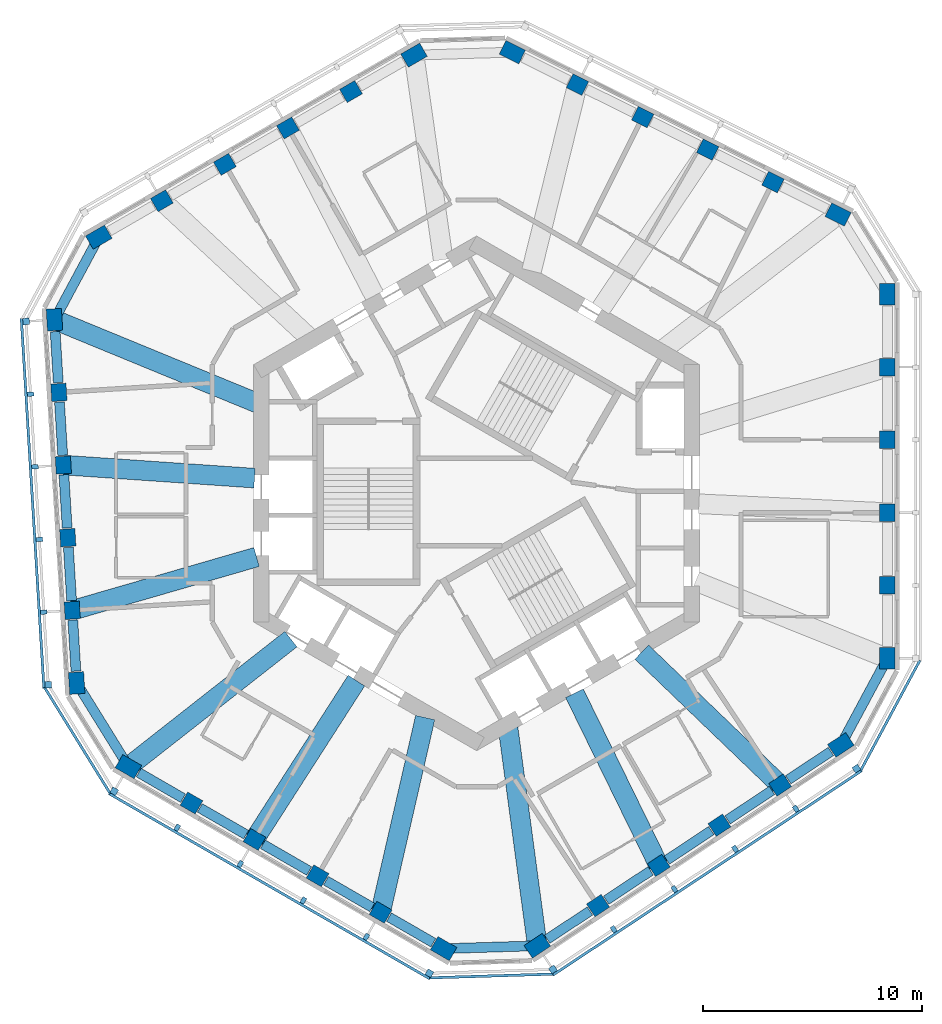
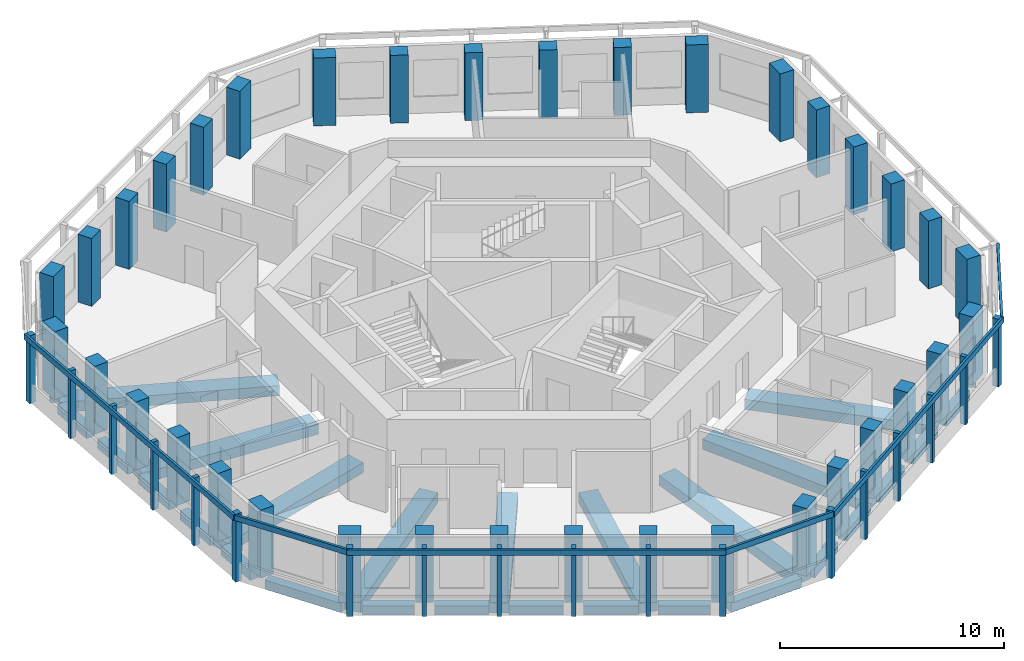
# One storey, part 1 of 11: 36 columns, 28 beams, 24 members, 6 elements without a shape of their own.
"""IFC4 building model written with IfcOpenShell, lengths in metres."""

from ifc_helpers import new_model, si_unit, direction, frame, origin, origin_2d, place, context, subcontext, project, spatial, rectangle, extrude, material, material_profile, profile_set, type_object, element, aggregate, save


model = new_model("IFC4")

# Units and contexts
model_context = context("Model", 3, precision=1e-05, world=origin(), true_north=direction((0.0, 1.0)))
body_context = subcontext(model_context, "Body", "Model", "MODEL_VIEW")
ifc_project = project(units=[si_unit("LENGTHUNIT", "METRE"), si_unit("AREAUNIT", "SQUARE_METRE"), si_unit("VOLUMEUNIT", "CUBIC_METRE"), si_unit("PLANEANGLEUNIT", "RADIAN"), si_unit("MASSUNIT", "GRAM", prefix="KILO")], contexts=[model_context])

# Site, building, storey
site_placement = place(None, origin())
site = spatial("IfcSite", under=ifc_project, at=site_placement, CompositionType="ELEMENT")
building_placement = place(site_placement, origin())
building = spatial("IfcBuilding", under=site, at=building_placement, Name="Vanh Sen Convention Tower", CompositionType="ELEMENT")
storey_placement = place(building_placement, frame((0.0, 0.0, 274.60009765625)))
storey = spatial("IfcBuildingStorey", under=building, at=storey_placement, Name="L68", CompositionType="ELEMENT", Elevation=274.60009765625)

# Columns
ifc_material_1 = material(Name="Concrete C60/75", Category="concrete")
ifc_material_profile_1 = material_profile(ifc_material_1, rectangle(XDim=0.800048828125, YDim=0.699951171875, at=origin_2d()), Name="RC 800X700")
ifc_profile_set_1 = profile_set([ifc_material_profile_1], Name="Concrete C60/75")
column_type_1 = type_object("IfcColumnType", Name="Facade column 800 x 700 C60/75", PredefinedType="COLUMN", material=ifc_profile_set_1)
for number, where, z_axis, x_axis, name in (
    (1, (18.800048828125, -4.215087890625, 0.0), (0.0, 0.0, 1.0), (0.0, 1.0, 0.0), "Facade column 02 L68"),
    (2, (18.800048828125, -0.88330078125, 0.0), (0.0, 0.0, 1.0), (0.0, 1.0, 0.0), "Facade column 03 L68"),
    (3, (18.800048828125, 2.4482421875, 0.0), (0.0, 0.0, 1.0), (0.0, 1.0, 0.0), "Facade column 04 L68"),
    (4, (18.800048828125, 5.77978515625, 0.0), (0.0, 0.0, 1.0), (0.0, 1.0, 0.0), "Facade column 05 L68"),
    (5, (13.56103515625, 14.245849609375, 0.0), (0.0, 0.0, 1.0), (-0.894934361602, 0.44619781311, 0.0), "Facade column 08 L68"),
    (6, (10.57958984375, 15.732421875, 0.0), (0.0, 0.0, 1.0), (-0.894934361602, 0.44619781311, 0.0), "Facade column 09 L68"),
    (7, (7.597900390625, 17.218994140625, 0.0), (0.0, 0.0, 1.0), (-0.894934361602, 0.44619781311, 0.0), "Facade column 10 L68"),
    (8, (4.6162109375, 18.70556640625, 0.0), (0.0, 0.0, 1.0), (-0.894934361602, 0.44619781311, 0.0), "Facade column 11 L68"),
    (9, (-5.74951171875, 18.388916015625, 0.0), (0.0, 0.0, 1.0), (-0.866025403784, -0.5, 0.0), "Facade column 14 L68"),
    (10, (-8.635009765625, 16.722900390625, 0.0), (0.0, 0.0, 1.0), (-0.866025403784, -0.5, 0.0), "Facade column 15 L68"),
    (11, (-11.520263671875, 15.05712890625, 0.0), (0.0, 0.0, 1.0), (-0.866025403784, -0.5, 0.0), "Facade column 16 L68"),
    (12, (-14.405517578125, 13.391357421875, 0.0), (0.0, 0.0, 1.0), (-0.866025403784, -0.5, 0.0), "Facade column 17 L68"),
    (13, (-19.117919921875, 4.621337890625, 0.0), (0.0, 0.0, 1.0), (0.061048539535, -0.998134798422, 0.0), "Facade column 20 L68"),
    (14, (-18.914306640625, 1.2958984375, 0.0), (0.0, 0.0, 1.0), (0.061048539535, -0.998134798422, 0.0), "Facade column 21 L68"),
    (15, (-18.7109375, -2.029541015625, 0.0), (0.0, 0.0, 1.0), (0.061048539535, -0.998134798422, 0.0), "Facade column 22 L68"),
    (16, (-18.507568359375, -5.35498046875, 0.0), (0.0, 0.0, 1.0), (0.061048539535, -0.998134798422, 0.0), "Facade column 23 L68"),
    (17, (-13.05029296875, -14.173583984375, 0.0), (0.0, 0.0, 1.0), (0.866025403784, -0.5, 0.0), "Facade column 26 L68"),
    (18, (-10.1650390625, -15.839599609375, 0.0), (0.0, 0.0, 1.0), (0.866025403784, -0.5, 0.0), "Facade column 27 L68"),
    (19, (-7.27978515625, -17.50537109375, 0.0), (0.0, 0.0, 1.0), (0.866025403784, -0.5, 0.0), "Facade column 28 L68"),
    (20, (-4.39453125, -19.171142578125, 0.0), (0.0, 0.0, 1.0), (0.866025403784, -0.5, 0.0), "Facade column 29 L68"),
    (21, (5.556640625, -18.8671875, 0.0), (0.0, 0.0, 1.0), (0.833885822067, 0.551936985312, 0.0), "Facade column 32 L68"),
    (22, (8.3349609375, -17.0283203125, 0.0), (0.0, 0.0, 1.0), (0.833885822067, 0.551936985312, 0.0), "Facade column 33 L68"),
    (23, (11.113037109375, -15.189453125, 0.0), (0.0, 0.0, 1.0), (0.833885822067, 0.551936985312, 0.0), "Facade column 34 L68"),
    (24, (13.891357421875, -13.3505859375, 0.0), (0.0, 0.0, 1.0), (0.833885822067, 0.551936985312, 0.0), "Facade column 35 L68"),
):
    element("IfcColumn", number, at=place(storey_placement, frame(where, z_axis=z_axis, x_axis=x_axis)), inside=storey, type_object=column_type_1, Name=name, PredefinedType="COLUMN", context=body_context, shape_type="SweptSolid", body=[
        extrude(rectangle(XDim=0.800048828125, YDim=0.699951171875, at=origin_2d()), origin(), (0.0, 0.0, 1.0), 3.699951171875),
    ])
ifc_material_profile_2 = material_profile(ifc_material_1, rectangle(XDim=1.0, YDim=0.699951171875, at=origin_2d()), Name="RC 1000X700")
ifc_profile_set_2 = profile_set([ifc_material_profile_2], Name="Concrete C60/75")
column_type_2 = type_object("IfcColumnType", Name="Facade corner column 1000 x 700 C60/75", PredefinedType="COLUMN", material=ifc_profile_set_2)
for number, where, z_axis, x_axis, name in (
    (25, (18.800048828125, -7.546630859375, 0.0), (0.0, 0.0, 1.0), (0.0, 1.0, 0.0), "Facade column 01 L68"),
    (26, (18.800048828125, 9.111572265625, 0.0), (0.0, 0.0, 1.0), (0.0, 1.0, 0.0), "Facade column 06 L68"),
    (27, (16.542724609375, 12.75927734375, 0.0), (0.0, 0.0, 1.0), (-0.894934361602, 0.44619781311, 0.0), "Facade column 07 L68"),
    (28, (1.634765625, 20.192138671875, 0.0), (0.0, 0.0, 1.0), (-0.894934361602, 0.44619781311, 0.0), "Facade column 12 L68"),
    (29, (-2.8642578125, 20.0546875, 0.0), (0.0, 0.0, 1.0), (-0.866025403784, -0.5, 0.0), "Facade column 13 L68"),
    (30, (-17.290771484375, 11.7255859375, 0.0), (0.0, 0.0, 1.0), (-0.866025403784, -0.5, 0.0), "Facade column 18 L68"),
    (31, (-19.3212890625, 7.94677734375, 0.0), (0.0, 0.0, 1.0), (0.061048539535, -0.998134798422, 0.0), "Facade column 19 L68"),
    (32, (-18.30419921875, -8.680419921875, 0.0), (0.0, 0.0, 1.0), (0.061048539535, -0.998134798422, 0.0), "Facade column 24 L68"),
    (33, (-15.935791015625, -12.5078125, 0.0), (0.0, 0.0, 1.0), (0.866025403784, -0.5, 0.0), "Facade column 25 L68"),
    (34, (-1.50927734375, -20.8369140625, 0.0), (0.0, 0.0, 1.0), (0.866025403784, -0.5, 0.0), "Facade column 30 L68"),
    (35, (2.7783203125, -20.7060546875, 0.0), (0.0, 0.0, 1.0), (0.833885822067, 0.551936985312, 0.0), "Facade column 31 L68"),
    (36, (16.66943359375, -11.51171875, 0.0), (0.0, 0.0, 1.0), (0.833885822067, 0.551936985312, 0.0), "Facade column 36 L68"),
):
    element("IfcColumn", number, at=place(storey_placement, frame(where, z_axis=z_axis, x_axis=x_axis)), inside=storey, type_object=column_type_2, Name=name, PredefinedType="COLUMN", context=body_context, shape_type="SweptSolid", body=[
        extrude(rectangle(XDim=1.0, YDim=0.699951171875, at=origin_2d()), origin(), (0.0, 0.0, 1.0), 3.699951171875),
    ])

# Curtain wall, members
ifc_material_2 = material(Name="Concrete C50/60", Category="concrete")
curtain_wall_type = type_object("IfcCurtainWallType", Name="Outer skin office zone", PredefinedType="NOTDEFINED", material=ifc_material_2)
curtain_wall_1_placement = place(storey_placement, origin())
curtain_wall_1 = element("IfcCurtainWall", 37, at=curtain_wall_1_placement, inside=storey, type_object=curtain_wall_type, Name="OUTER SKIN W L68", PredefinedType="NOTDEFINED")
ifc_material_profile_3 = material_profile(ifc_material_2, rectangle(XDim=0.300048828125, YDim=0.300048828125, at=origin_2d()), Name="Outer skin precast corner fin 300 x 300")
ifc_profile_set_3 = profile_set([ifc_material_profile_3], Name="Concrete C50/60")
member_type_1 = type_object("IfcMemberType", Name="Outer skin precast corner fin 300 x 300", PredefinedType="MULLION", material=ifc_profile_set_3)
member_1_placement = place(storey_placement, frame((-20.618896484375, 7.867431640625, 0.0), z_axis=(0.0, 0.0, 1.0), x_axis=(0.061048539535, -0.998134798422, 0.0)))
member_1 = element("IfcMember", 38, at=member_1_placement, type_object=member_type_1, Name="OUTER SKIN CORNER FIN 1 W L68", PredefinedType="MULLION", context=body_context, shape_type="SweptSolid", body=[
    extrude(rectangle(XDim=0.300048828125, YDim=0.300048828125, at=origin_2d()), origin(), (0.0, 0.0, 1.0), 3.699951171875),
])
member_2_placement = place(storey_placement, frame((-19.601806640625, -8.759765625, 0.0), z_axis=(0.0, 0.0, 1.0), x_axis=(0.061048539535, -0.998134798422, 0.0)))
member_2 = element("IfcMember", 39, at=member_2_placement, type_object=member_type_1, Name="OUTER SKIN CORNER FIN 6 W L68", PredefinedType="MULLION", context=body_context, shape_type="SweptSolid", body=[
    extrude(rectangle(XDim=0.300048828125, YDim=0.300048828125, at=origin_2d()), origin(), (0.0, 0.0, 1.0), 3.699951171875),
])

curtain_wall_2_placement = place(storey_placement, origin())
curtain_wall_2 = element("IfcCurtainWall", 40, at=curtain_wall_2_placement, inside=storey, type_object=curtain_wall_type, Name="OUTER SKIN SW L68", PredefinedType="NOTDEFINED")
member_3_placement = place(storey_placement, frame((-16.585693359375, -13.6337890625, 0.0), z_axis=(0.0, 0.0, 1.0), x_axis=(0.866025403784, -0.5, 0.0)))
member_3 = element("IfcMember", 41, at=member_3_placement, type_object=member_type_1, Name="OUTER SKIN CORNER FIN 1 SW L68", PredefinedType="MULLION", context=body_context, shape_type="SweptSolid", body=[
    extrude(rectangle(XDim=0.300048828125, YDim=0.300048828125, at=origin_2d()), origin(), (0.0, 0.0, 1.0), 3.699951171875),
])
member_4_placement = place(storey_placement, frame((-2.1591796875, -21.962890625, 0.0), z_axis=(0.0, 0.0, 1.0), x_axis=(0.866025403784, -0.5, 0.0)))
member_4 = element("IfcMember", 42, at=member_4_placement, type_object=member_type_1, Name="OUTER SKIN CORNER FIN 6 SW L68", PredefinedType="MULLION", context=body_context, shape_type="SweptSolid", body=[
    extrude(rectangle(XDim=0.300048828125, YDim=0.300048828125, at=origin_2d()), origin(), (0.0, 0.0, 1.0), 3.699951171875),
])

curtain_wall_3_placement = place(storey_placement, origin())
curtain_wall_3 = element("IfcCurtainWall", 43, at=curtain_wall_3_placement, inside=storey, type_object=curtain_wall_type, Name="OUTER SKIN SE L68", PredefinedType="NOTDEFINED")
member_5_placement = place(storey_placement, frame((3.495849609375, -21.7900390625, 0.0), z_axis=(0.0, 0.0, 1.0), x_axis=(0.833885822067, 0.551936985312, 0.0)))
member_5 = element("IfcMember", 44, at=member_5_placement, type_object=member_type_1, Name="OUTER SKIN CORNER FIN 1 SE L68", PredefinedType="MULLION", context=body_context, shape_type="SweptSolid", body=[
    extrude(rectangle(XDim=0.300048828125, YDim=0.300048828125, at=origin_2d()), origin(), (0.0, 0.0, 1.0), 3.699951171875),
])
member_6_placement = place(storey_placement, frame((17.386962890625, -12.595703125, 0.0), z_axis=(0.0, 0.0, 1.0), x_axis=(0.833885822067, 0.551936985312, 0.0)))
member_6 = element("IfcMember", 45, at=member_6_placement, type_object=member_type_1, Name="OUTER SKIN CORNER FIN 6 SE L68", PredefinedType="MULLION", context=body_context, shape_type="SweptSolid", body=[
    extrude(rectangle(XDim=0.300048828125, YDim=0.300048828125, at=origin_2d()), origin(), (0.0, 0.0, 1.0), 3.699951171875),
])

# Member
ifc_material_profile_4 = material_profile(ifc_material_2, rectangle(XDim=0.199951171875, YDim=0.300048828125, at=origin_2d()), Name="Outer skin precast fin 200 x 300")
ifc_profile_set_4 = profile_set([ifc_material_profile_4], Name="Concrete C50/60")
member_type_2 = type_object("IfcMemberType", Name="Outer skin precast fin 200 x 300", PredefinedType="MULLION", material=ifc_profile_set_4)
member_7_placement = place(storey_placement, frame((-20.415283203125, 4.5419921875, 0.0), z_axis=(0.0, 0.0, 1.0), x_axis=(0.061048539535, -0.998134798422, 0.0)))
member_7 = element("IfcMember", 46, at=member_7_placement, type_object=member_type_2, Name="OUTER SKIN fin 2 W L68", PredefinedType="MULLION", context=body_context, shape_type="SweptSolid", body=[
    extrude(rectangle(XDim=0.199951171875, YDim=0.300048828125, at=origin_2d()), origin(), (0.0, 0.0, 1.0), 3.699951171875),
])

member_8_placement = place(storey_placement, frame((-20.2119140625, 1.216552734375, 0.0), z_axis=(0.0, 0.0, 1.0), x_axis=(0.061048539535, -0.998134798422, 0.0)))
member_8 = element("IfcMember", 47, at=member_8_placement, type_object=member_type_2, Name="OUTER SKIN fin 3 W L68", PredefinedType="MULLION", context=body_context, shape_type="SweptSolid", body=[
    extrude(rectangle(XDim=0.199951171875, YDim=0.300048828125, at=origin_2d()), origin(), (0.0, 0.0, 1.0), 3.699951171875),
])

member_9_placement = place(storey_placement, frame((-20.008544921875, -2.10888671875, 0.0), z_axis=(0.0, 0.0, 1.0), x_axis=(0.061048539535, -0.998134798422, 0.0)))
member_9 = element("IfcMember", 48, at=member_9_placement, type_object=member_type_2, Name="OUTER SKIN fin 4 W L68", PredefinedType="MULLION", context=body_context, shape_type="SweptSolid", body=[
    extrude(rectangle(XDim=0.199951171875, YDim=0.300048828125, at=origin_2d()), origin(), (0.0, 0.0, 1.0), 3.699951171875),
])

member_10_placement = place(storey_placement, frame((-19.80517578125, -5.434326171875, 0.0), z_axis=(0.0, 0.0, 1.0), x_axis=(0.061048539535, -0.998134798422, 0.0)))
member_10 = element("IfcMember", 49, at=member_10_placement, type_object=member_type_2, Name="OUTER SKIN fin 5 W L68", PredefinedType="MULLION", context=body_context, shape_type="SweptSolid", body=[
    extrude(rectangle(XDim=0.199951171875, YDim=0.300048828125, at=origin_2d()), origin(), (0.0, 0.0, 1.0), 3.699951171875),
])

member_11_placement = place(storey_placement, frame((-13.700439453125, -15.299560546875, 0.0), z_axis=(0.0, 0.0, 1.0), x_axis=(0.866025403784, -0.5, 0.0)))
member_11 = element("IfcMember", 50, at=member_11_placement, type_object=member_type_2, Name="OUTER SKIN fin 2 SW L68", PredefinedType="MULLION", context=body_context, shape_type="SweptSolid", body=[
    extrude(rectangle(XDim=0.199951171875, YDim=0.300048828125, at=origin_2d()), origin(), (0.0, 0.0, 1.0), 3.699951171875),
])

member_12_placement = place(storey_placement, frame((-10.815185546875, -16.96533203125, 0.0), z_axis=(0.0, 0.0, 1.0), x_axis=(0.866025403784, -0.5, 0.0)))
member_12 = element("IfcMember", 51, at=member_12_placement, type_object=member_type_2, Name="OUTER SKIN fin 3 SW L68", PredefinedType="MULLION", context=body_context, shape_type="SweptSolid", body=[
    extrude(rectangle(XDim=0.199951171875, YDim=0.300048828125, at=origin_2d()), origin(), (0.0, 0.0, 1.0), 3.699951171875),
])

member_13_placement = place(storey_placement, frame((-7.9296875, -18.631103515625, 0.0), z_axis=(0.0, 0.0, 1.0), x_axis=(0.866025403784, -0.5, 0.0)))
member_13 = element("IfcMember", 52, at=member_13_placement, type_object=member_type_2, Name="OUTER SKIN fin 4 SW L68", PredefinedType="MULLION", context=body_context, shape_type="SweptSolid", body=[
    extrude(rectangle(XDim=0.199951171875, YDim=0.300048828125, at=origin_2d()), origin(), (0.0, 0.0, 1.0), 3.699951171875),
])

member_14_placement = place(storey_placement, frame((-5.04443359375, -20.297119140625, 0.0), z_axis=(0.0, 0.0, 1.0), x_axis=(0.866025403784, -0.5, 0.0)))
member_14 = element("IfcMember", 53, at=member_14_placement, type_object=member_type_2, Name="OUTER SKIN fin 5 SW L68", PredefinedType="MULLION", context=body_context, shape_type="SweptSolid", body=[
    extrude(rectangle(XDim=0.199951171875, YDim=0.300048828125, at=origin_2d()), origin(), (0.0, 0.0, 1.0), 3.699951171875),
])

member_15_placement = place(storey_placement, frame((6.274169921875, -19.951416015625, 0.0), z_axis=(0.0, 0.0, 1.0), x_axis=(0.833885822067, 0.551936985312, 0.0)))
member_15 = element("IfcMember", 54, at=member_15_placement, type_object=member_type_2, Name="OUTER SKIN fin 2 SE L68", PredefinedType="MULLION", context=body_context, shape_type="SweptSolid", body=[
    extrude(rectangle(XDim=0.199951171875, YDim=0.300048828125, at=origin_2d()), origin(), (0.0, 0.0, 1.0), 3.699951171875),
])

member_16_placement = place(storey_placement, frame((9.052490234375, -18.1123046875, 0.0), z_axis=(0.0, 0.0, 1.0), x_axis=(0.833885822067, 0.551936985312, 0.0)))
member_16 = element("IfcMember", 55, at=member_16_placement, type_object=member_type_2, Name="OUTER SKIN fin 3 SE L68", PredefinedType="MULLION", context=body_context, shape_type="SweptSolid", body=[
    extrude(rectangle(XDim=0.199951171875, YDim=0.300048828125, at=origin_2d()), origin(), (0.0, 0.0, 1.0), 3.699951171875),
])

member_17_placement = place(storey_placement, frame((11.83056640625, -16.273681640625, 0.0), z_axis=(0.0, 0.0, 1.0), x_axis=(0.833885822067, 0.551936985312, 0.0)))
member_17 = element("IfcMember", 56, at=member_17_placement, type_object=member_type_2, Name="OUTER SKIN fin 4 SE L68", PredefinedType="MULLION", context=body_context, shape_type="SweptSolid", body=[
    extrude(rectangle(XDim=0.199951171875, YDim=0.300048828125, at=origin_2d()), origin(), (0.0, 0.0, 1.0), 3.699951171875),
])

member_18_placement = place(storey_placement, frame((14.60888671875, -14.434814453125, 0.0), z_axis=(0.0, 0.0, 1.0), x_axis=(0.833885822067, 0.551936985312, 0.0)))
member_18 = element("IfcMember", 57, at=member_18_placement, type_object=member_type_2, Name="OUTER SKIN fin 5 SE L68", PredefinedType="MULLION", context=body_context, shape_type="SweptSolid", body=[
    extrude(rectangle(XDim=0.199951171875, YDim=0.300048828125, at=origin_2d()), origin(), (0.0, 0.0, 1.0), 3.699951171875),
])

ifc_material_profile_5 = material_profile(ifc_material_2, rectangle(XDim=0.1201171875, YDim=0.300048828125, at=origin_2d()), Name="Outer skin precast spandrel band 300 x 120")
ifc_profile_set_5 = profile_set([ifc_material_profile_5], Name="Concrete C50/60")
member_type_3 = type_object("IfcMemberType", Name="Outer skin precast spandrel band 300 x 120", PredefinedType="USERDEFINED", material=ifc_profile_set_5)
member_19_placement = place(storey_placement, frame((-20.83740234375, 8.00439453125, 3.5498046875), z_axis=(0.061040984027, -0.998135260508, 0.0), x_axis=(0.998135260508, 0.061040984027, 0.0)))
member_19 = element("IfcMember", 58, at=member_19_placement, type_object=member_type_3, Name="OUTER SKIN spandrel band W L68", ObjectType="TRANSOM", PredefinedType="USERDEFINED", context=body_context, shape_type="SweptSolid", body=[
    extrude(rectangle(XDim=0.1201171875, YDim=0.300048828125, at=origin_2d()), origin(), (0.0, 0.0, 1.0), 16.95849609375),
])

aggregate(curtain_wall_1, [member_1, member_7, member_8, member_9, member_10, member_2, member_19])

# Curtain wall, member
curtain_wall_4_placement = place(storey_placement, origin())
curtain_wall_4 = element("IfcCurtainWall", 59, at=curtain_wall_4_placement, inside=storey, type_object=curtain_wall_type, Name="OUTER SKIN CH4 L68", PredefinedType="NOTDEFINED")
member_20_placement = place(storey_placement, frame((-19.7802734375, -8.870361328125, 3.5498046875), z_axis=(0.526199162152, -0.850361359512, 0.0), x_axis=(0.850361359512, 0.526199162152, 0.0)))
member_20 = element("IfcMember", 60, at=member_20_placement, type_object=member_type_3, Name="OUTER SKIN spandrel band CH4 L68", ObjectType="TRANSOM", PredefinedType="USERDEFINED", context=body_context, shape_type="SweptSolid", body=[
    extrude(rectangle(XDim=0.1201171875, YDim=0.300048828125, at=origin_2d()), origin(), (0.0, 0.0, 1.0), 5.7314453125),
])
aggregate(curtain_wall_4, [member_20])

# Member
member_21_placement = place(storey_placement, frame((-16.820556640625, -13.740478515625, 3.5498046875), z_axis=(0.866022320763, -0.500005339912, 0.0), x_axis=(0.500005339912, 0.866022320763, 0.0)))
member_21 = element("IfcMember", 61, at=member_21_placement, type_object=member_type_3, Name="OUTER SKIN spandrel band SW L68", ObjectType="TRANSOM", PredefinedType="USERDEFINED", context=body_context, shape_type="SweptSolid", body=[
    extrude(rectangle(XDim=0.1201171875, YDim=0.300048828125, at=origin_2d()), origin(), (0.0, 0.0, 1.0), 16.958251953125),
])

aggregate(curtain_wall_2, [member_3, member_11, member_12, member_13, member_14, member_4, member_21])

# Curtain wall, member
curtain_wall_5_placement = place(storey_placement, origin())
curtain_wall_5 = element("IfcCurtainWall", 62, at=curtain_wall_5_placement, inside=storey, type_object=curtain_wall_type, Name="OUTER SKIN CH5 L68", PredefinedType="NOTDEFINED")
member_22_placement = place(storey_placement, frame((-2.15283203125, -22.172607421875, 3.5498046875), z_axis=(0.999534504066, 0.030508608314, 0.0), x_axis=(-0.030508608314, 0.999534504066, 0.0)))
member_22 = element("IfcMember", 63, at=member_22_placement, type_object=member_type_3, Name="OUTER SKIN spandrel band CH5 L68", ObjectType="TRANSOM", PredefinedType="USERDEFINED", context=body_context, shape_type="SweptSolid", body=[
    extrude(rectangle(XDim=0.1201171875, YDim=0.300048828125, at=origin_2d()), origin(), (0.0, 0.0, 1.0), 5.65771484375),
])
aggregate(curtain_wall_5, [member_22])

# Member
member_23_placement = place(storey_placement, frame((3.48681640625, -22.048095703125, 3.5498046875), z_axis=(0.833877443168, 0.551949644239, 0.0), x_axis=(-0.551949644239, 0.833877443168, 0.0)))
member_23 = element("IfcMember", 64, at=member_23_placement, type_object=member_type_3, Name="OUTER SKIN spandrel band SE L68", ObjectType="TRANSOM", PredefinedType="USERDEFINED", context=body_context, shape_type="SweptSolid", body=[
    extrude(rectangle(XDim=0.1201171875, YDim=0.300048828125, at=origin_2d()), origin(), (0.0, 0.0, 1.0), 16.958251953125),
])

aggregate(curtain_wall_3, [member_5, member_15, member_16, member_17, member_18, member_6, member_23])

# Curtain wall, member
curtain_wall_6_placement = place(storey_placement, origin())
curtain_wall_6 = element("IfcCurtainWall", 65, at=curtain_wall_6_placement, inside=storey, type_object=curtain_wall_type, Name="OUTER SKIN CH6 L68", PredefinedType="NOTDEFINED")
member_24_placement = place(storey_placement, frame((17.572021484375, -12.695068359375, 3.5498046875), z_axis=(0.473309680768, 0.880896104028, 0.0), x_axis=(-0.880896104028, 0.473309680768, 0.0)))
member_24 = element("IfcMember", 66, at=member_24_placement, type_object=member_type_3, Name="OUTER SKIN spandrel band CH6 L68", ObjectType="TRANSOM", PredefinedType="USERDEFINED", context=body_context, shape_type="SweptSolid", body=[
    extrude(rectangle(XDim=0.1201171875, YDim=0.300048828125, at=origin_2d()), origin(), (0.0, 0.0, 1.0), 5.731689453125),
])
aggregate(curtain_wall_6, [member_24])

# Beams
ifc_material_3 = material(Name="Concrete C50/60", Category="concrete")
ifc_material_profile_6 = material_profile(ifc_material_3, rectangle(XDim=0.89990234375, YDim=0.550048828125, at=origin_2d()), Name="RC 900X550")
ifc_profile_set_6 = profile_set([ifc_material_profile_6], Name="Concrete C50/60")
beam_type_1 = type_object("IfcBeamType", Name="Radial floor beam 900 x 550", PredefinedType="BEAM", material=ifc_profile_set_6)
beam_1_placement = place(storey_placement, frame((-19.167724609375, 7.8837890625, -0.55517578125), z_axis=(0.924829402314, -0.3803821455, 0.0), x_axis=(0.3803821455, 0.924829402314, 0.0)))
element("IfcBeam", 67, at=beam_1_placement, inside=storey, type_object=beam_type_1, Name="Radial beam 10 L68", PredefinedType="BEAM", context=body_context, shape_type="SweptSolid", body=[
    extrude(rectangle(XDim=0.89990234375, YDim=0.550048828125, at=origin_2d()), origin(), (0.0, 0.0, 1.0), 9.88671875),
])
beam_2_placement = place(storey_placement, frame((-18.890380859375, 1.294189453125, -0.55517578125), z_axis=(0.99766081834, -0.068358551399, 0.0), x_axis=(0.068358551399, 0.99766081834, 0.0)))
element("IfcBeam", 68, at=beam_2_placement, inside=storey, type_object=beam_type_1, Name="Radial beam 11 L68", PredefinedType="BEAM", context=body_context, shape_type="SweptSolid", body=[
    extrude(rectangle(XDim=0.89990234375, YDim=0.550048828125, at=origin_2d()), origin(), (0.0, 0.0, 1.0), 8.74658203125),
])
beam_3_placement = place(storey_placement, frame((-18.464599609375, -5.342529296875, -0.55517578125), z_axis=(0.960596069161, 0.277948182064, 0.0), x_axis=(-0.277948182064, 0.960596069161, 0.0)))
element("IfcBeam", 69, at=beam_3_placement, inside=storey, type_object=beam_type_1, Name="Radial beam 12 L68", PredefinedType="BEAM", context=body_context, shape_type="SweptSolid", body=[
    extrude(rectangle(XDim=0.89990234375, YDim=0.550048828125, at=origin_2d()), origin(), (0.0, 0.0, 1.0), 8.73876953125),
])
beam_4_placement = place(storey_placement, frame((-15.78515625, -12.3896484375, -0.55517578125), z_axis=(0.786634743009, 0.617418643298, 0.0), x_axis=(-0.617418643298, 0.786634743009, 0.0)))
element("IfcBeam", 70, at=beam_4_placement, inside=storey, type_object=beam_type_1, Name="Radial beam 13 L68", PredefinedType="BEAM", context=body_context, shape_type="SweptSolid", body=[
    extrude(rectangle(XDim=0.89990234375, YDim=0.550048828125, at=origin_2d()), origin(), (0.0, 0.0, 1.0), 9.26123046875),
])
beam_5_placement = place(storey_placement, frame((-10.162109375, -15.835205078125, -0.55517578125), z_axis=(0.540084008798, 0.841611111762, 0.0), x_axis=(-0.841611111762, 0.540084008798, 0.0)))
element("IfcBeam", 71, at=beam_5_placement, inside=storey, type_object=beam_type_1, Name="Radial beam 14 L68", PredefinedType="BEAM", context=body_context, shape_type="SweptSolid", body=[
    extrude(rectangle(XDim=0.89990234375, YDim=0.550048828125, at=origin_2d()), origin(), (0.0, 0.0, 1.0), 8.63037109375),
])
beam_6_placement = place(storey_placement, frame((-4.380615234375, -19.110107421875, -0.55517578125), z_axis=(0.223435245059, 0.974718775476, 0.0), x_axis=(-0.974718775476, 0.223435245059, 0.0)))
element("IfcBeam", 72, at=beam_6_placement, inside=storey, type_object=beam_type_1, Name="Radial beam 15 L68", PredefinedType="BEAM", context=body_context, shape_type="SweptSolid", body=[
    extrude(rectangle(XDim=0.89990234375, YDim=0.550048828125, at=origin_2d()), origin(), (0.0, 0.0, 1.0), 9.077880859375),
])
beam_7_placement = place(storey_placement, frame((2.75634765625, -20.54150390625, -0.55517578125), z_axis=(-0.133001541372, 0.991115830765, 0.0), x_axis=(-0.991115830765, -0.133001541372, 0.0)))
element("IfcBeam", 73, at=beam_7_placement, inside=storey, type_object=beam_type_1, Name="Radial beam 16 L68", PredefinedType="BEAM", context=body_context, shape_type="SweptSolid", body=[
    extrude(rectangle(XDim=0.89990234375, YDim=0.550048828125, at=origin_2d()), origin(), (0.0, 0.0, 1.0), 9.88671875),
])
beam_8_placement = place(storey_placement, frame((8.32421875, -17.006591796875, -0.55517578125), z_axis=(-0.439627609398, 0.898180140648, 0.0), x_axis=(-0.898180140648, -0.439627609398, 0.0)))
element("IfcBeam", 74, at=beam_8_placement, inside=storey, type_object=beam_type_1, Name="Radial beam 17 L68", PredefinedType="BEAM", context=body_context, shape_type="SweptSolid", body=[
    extrude(rectangle(XDim=0.89990234375, YDim=0.550048828125, at=origin_2d()), origin(), (0.0, 0.0, 1.0), 8.74658203125),
])
beam_9_placement = place(storey_placement, frame((13.85888671875, -13.319580078125, -0.55517578125), z_axis=(-0.720992491371, 0.692942874548, 0.0), x_axis=(-0.692942874548, -0.720992491371, 0.0)))
element("IfcBeam", 75, at=beam_9_placement, inside=storey, type_object=beam_type_1, Name="Radial beam 18 L68", PredefinedType="BEAM", context=body_context, shape_type="SweptSolid", body=[
    extrude(rectangle(XDim=0.89990234375, YDim=0.550048828125, at=origin_2d()), origin(), (0.0, 0.0, 1.0), 8.73876953125),
])
ifc_material_profile_7 = material_profile(ifc_material_3, rectangle(XDim=0.449951171875, YDim=0.5, at=origin_2d()), Name="RC 450X500")
ifc_profile_set_7 = profile_set([ifc_material_profile_7], Name="Concrete C50/60")
beam_type_2 = type_object("IfcBeamType", Name="Spandrel beam 450 x 500", PredefinedType="SPANDREL", material=ifc_profile_set_7)
beam_10_placement = place(storey_placement, frame((-17.43115234375, 11.46435546875, -0.530029296875), z_axis=(-0.473331663196, -0.880884292411, 0.0), x_axis=(0.880884292411, -0.473331663196, 0.0)))
element("IfcBeam", 76, at=beam_10_placement, inside=storey, type_object=beam_type_2, Name="Spandrel beam 18 L68", PredefinedType="SPANDREL", context=body_context, shape_type="SweptSolid", body=[
    extrude(rectangle(XDim=0.449951171875, YDim=0.5, at=origin_2d()), origin(), (0.0, 0.0, 1.0), 3.69677734375),
])
beam_11_placement = place(storey_placement, frame((-19.287841796875, 7.40283203125, -0.530029296875), z_axis=(0.060989239379, -0.998138423607, 0.0), x_axis=(0.998138423607, 0.060989239379, 0.0)))
element("IfcBeam", 77, at=beam_11_placement, inside=storey, type_object=beam_type_2, Name="Spandrel beam 19 L68", PredefinedType="SPANDREL", context=body_context, shape_type="SweptSolid", body=[
    extrude(rectangle(XDim=0.449951171875, YDim=0.5, at=origin_2d()), origin(), (0.0, 0.0, 1.0), 2.341796875),
])
for number, where, z_axis, x_axis, name in (
    (78, (-19.090576171875, 4.17724609375, -0.530029296875), (0.060990123754, -0.998138369568, 0.0), (0.998138369568, 0.060990123754, 0.0), "Spandrel beam 20 L68"),
    (79, (-18.88720703125, 0.851806640625, -0.530029296875), (0.060990123754, -0.998138369568, 0.0), (0.998138369568, 0.060990123754, 0.0), "Spandrel beam 21 L68"),
    (80, (-18.683837890625, -2.4736328125, -0.530029296875), (0.060990123754, -0.998138369568, 0.0), (0.998138369568, 0.060990123754, 0.0), "Spandrel beam 22 L68"),
):
    element("IfcBeam", number, at=place(storey_placement, frame(where, z_axis=z_axis, x_axis=x_axis)), inside=storey, type_object=beam_type_2, Name=name, PredefinedType="SPANDREL", context=body_context, shape_type="SweptSolid", body=[
        extrude(rectangle(XDim=0.449951171875, YDim=0.5, at=origin_2d()), origin(), (0.0, 0.0, 1.0), 2.44189453125),
    ])
beam_12_placement = place(storey_placement, frame((-18.48046875, -5.799072265625, -0.530029296875), z_axis=(0.061093105701, -0.99813207164, 0.0), x_axis=(0.99813207164, 0.061093105701, 0.0)))
element("IfcBeam", 81, at=beam_12_placement, inside=storey, type_object=beam_type_2, Name="Spandrel beam 23 L68", PredefinedType="SPANDREL", context=body_context, shape_type="SweptSolid", body=[
    extrude(rectangle(XDim=0.449951171875, YDim=0.5, at=origin_2d()), origin(), (0.0, 0.0, 1.0), 2.341796875),
])
beam_13_placement = place(storey_placement, frame((-18.13818359375, -8.948974609375, -0.530029296875), z_axis=(0.526239495129, -0.850336400354, 0.0), x_axis=(0.850336400354, 0.526239495129, 0.0)))
element("IfcBeam", 82, at=beam_13_placement, inside=storey, type_object=beam_type_2, Name="Spandrel beam 24 L68", PredefinedType="SPANDREL", context=body_context, shape_type="SweptSolid", body=[
    extrude(rectangle(XDim=0.449951171875, YDim=0.5, at=origin_2d()), origin(), (0.0, 0.0, 1.0), 3.86962890625),
])
beam_14_placement = place(storey_placement, frame((-15.463623046875, -12.780517578125, -0.530029296875), z_axis=(0.866046683436, -0.499963140751, 0.0), x_axis=(0.499963140751, 0.866046683436, 0.0)))
element("IfcBeam", 83, at=beam_14_placement, inside=storey, type_object=beam_type_2, Name="Spandrel beam 25 L68", PredefinedType="SPANDREL", context=body_context, shape_type="SweptSolid", body=[
    extrude(rectangle(XDim=0.449951171875, YDim=0.5, at=origin_2d()), origin(), (0.0, 0.0, 1.0), 2.341552734375),
])
for number, where, z_axis, x_axis, name in (
    (84, (-12.6650390625, -14.396240234375, -0.530029296875), (0.866000753341, -0.500042693391, 0.0), (0.500042693391, 0.866000753341, 0.0), "Spandrel beam 26 L68"),
    (85, (-9.77978515625, -16.06201171875, -0.530029296875), (0.866000753341, -0.500042693391, 0.0), (0.500042693391, 0.866000753341, 0.0), "Spandrel beam 27 L68"),
    (86, (-6.894287109375, -17.727783203125, -0.530029296875), (0.866000753341, -0.500042693391, 0.0), (0.500042693391, 0.866000753341, 0.0), "Spandrel beam 28 L68"),
):
    element("IfcBeam", number, at=place(storey_placement, frame(where, z_axis=z_axis, x_axis=x_axis)), inside=storey, type_object=beam_type_2, Name=name, PredefinedType="SPANDREL", context=body_context, shape_type="SweptSolid", body=[
        extrude(rectangle(XDim=0.449951171875, YDim=0.5, at=origin_2d()), origin(), (0.0, 0.0, 1.0), 2.441650390625),
    ])
beam_15_placement = place(storey_placement, frame((-4.009033203125, -19.393798828125, -0.530029296875), z_axis=(0.866046683436, -0.499963140751, 0.0), x_axis=(0.499963140751, 0.866046683436, 0.0)))
element("IfcBeam", 87, at=beam_15_placement, inside=storey, type_object=beam_type_2, Name="Spandrel beam 29 L68", PredefinedType="SPANDREL", context=body_context, shape_type="SweptSolid", body=[
    extrude(rectangle(XDim=0.449951171875, YDim=0.5, at=origin_2d()), origin(), (0.0, 0.0, 1.0), 2.341552734375),
])
beam_16_placement = place(storey_placement, frame((-1.212890625, -20.827880859375, -0.530029296875), z_axis=(0.999534367719, 0.030513075055, 0.0), x_axis=(-0.030513075055, 0.999534367719, 0.0)))
element("IfcBeam", 88, at=beam_16_placement, inside=storey, type_object=beam_type_2, Name="Spandrel beam 30 L68", PredefinedType="SPANDREL", context=body_context, shape_type="SweptSolid", body=[
    extrude(rectangle(XDim=0.449951171875, YDim=0.5, at=origin_2d()), origin(), (0.0, 0.0, 1.0), 3.696533203125),
])
beam_17_placement = place(storey_placement, frame((3.23291015625, -20.4052734375, -0.530029296875), z_axis=(0.833874339702, 0.551954332881, 0.0), x_axis=(-0.551954332881, 0.833874339702, 0.0)))
element("IfcBeam", 89, at=beam_17_placement, inside=storey, type_object=beam_type_2, Name="Spandrel beam 31 L68", PredefinedType="SPANDREL", context=body_context, shape_type="SweptSolid", body=[
    extrude(rectangle(XDim=0.449951171875, YDim=0.5, at=origin_2d()), origin(), (0.0, 0.0, 1.0), 2.341552734375),
])
beam_18_placement = place(storey_placement, frame((5.927734375, -18.62158203125, -0.530029296875), z_axis=(0.833891601137, 0.55192825399, 0.0), x_axis=(-0.55192825399, 0.833891601137, 0.0)))
element("IfcBeam", 90, at=beam_18_placement, inside=storey, type_object=beam_type_2, Name="Spandrel beam 32 L68", PredefinedType="SPANDREL", context=body_context, shape_type="SweptSolid", body=[
    extrude(rectangle(XDim=0.449951171875, YDim=0.5, at=origin_2d()), origin(), (0.0, 0.0, 1.0), 2.441650390625),
])
beam_19_placement = place(storey_placement, frame((8.7060546875, -16.78271484375, -0.530029296875), z_axis=(0.833861138807, 0.551974275838, 0.0), x_axis=(-0.551974275838, 0.833861138807, 0.0)))
element("IfcBeam", 91, at=beam_19_placement, inside=storey, type_object=beam_type_2, Name="Spandrel beam 33 L68", PredefinedType="SPANDREL", context=body_context, shape_type="SweptSolid", body=[
    extrude(rectangle(XDim=0.449951171875, YDim=0.5, at=origin_2d()), origin(), (0.0, 0.0, 1.0), 2.44140625),
])
beam_20_placement = place(storey_placement, frame((11.484130859375, -14.94384765625, -0.530029296875), z_axis=(0.833891601137, 0.55192825399, 0.0), x_axis=(-0.55192825399, 0.833891601137, 0.0)))
element("IfcBeam", 92, at=beam_20_placement, inside=storey, type_object=beam_type_2, Name="Spandrel beam 34 L68", PredefinedType="SPANDREL", context=body_context, shape_type="SweptSolid", body=[
    extrude(rectangle(XDim=0.449951171875, YDim=0.5, at=origin_2d()), origin(), (0.0, 0.0, 1.0), 2.441650390625),
])
beam_21_placement = place(storey_placement, frame((14.262451171875, -13.10498046875, -0.530029296875), z_axis=(0.833874339702, 0.551954332881, 0.0), x_axis=(-0.551954332881, 0.833874339702, 0.0)))
element("IfcBeam", 93, at=beam_21_placement, inside=storey, type_object=beam_type_2, Name="Spandrel beam 35 L68", PredefinedType="SPANDREL", context=body_context, shape_type="SweptSolid", body=[
    extrude(rectangle(XDim=0.449951171875, YDim=0.5, at=origin_2d()), origin(), (0.0, 0.0, 1.0), 2.341552734375),
])
beam_22_placement = place(storey_placement, frame((16.81884765625, -11.233642578125, -0.530029296875), z_axis=(0.473339711837, 0.880879967531, 0.0), x_axis=(-0.880879967531, 0.473339711837, 0.0)))
element("IfcBeam", 94, at=beam_22_placement, inside=storey, type_object=beam_type_2, Name="Spandrel beam 36 L68", PredefinedType="SPANDREL", context=body_context, shape_type="SweptSolid", body=[
    extrude(rectangle(XDim=0.449951171875, YDim=0.5, at=origin_2d()), origin(), (0.0, 0.0, 1.0), 3.869873046875),
])

save(model, "model.ifc")
